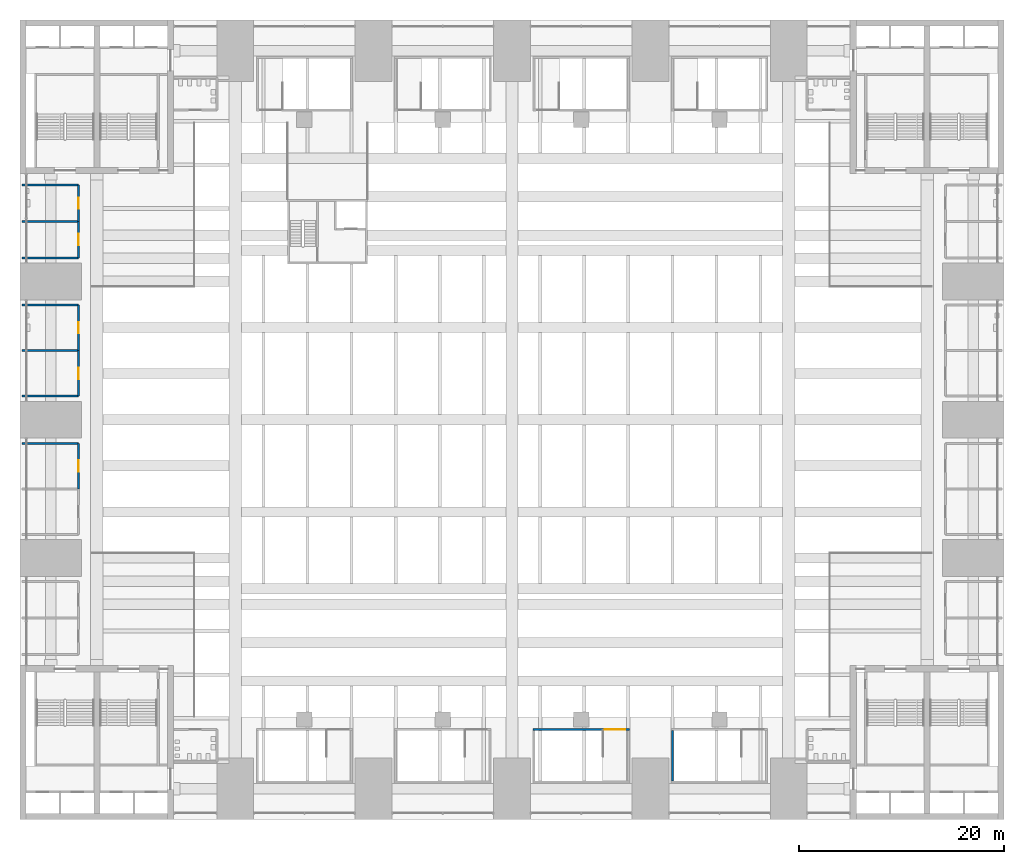
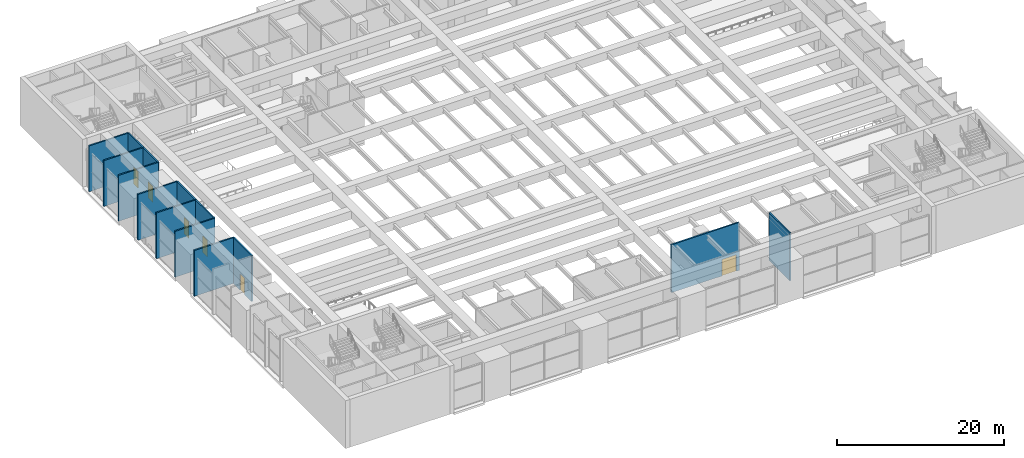
# One storey, part 26 of 45: 14 walls, 6 doors, 6 openings.
"""IFC4 building model written with IfcOpenShell, lengths in metres."""

from ifc_helpers import new_model, si_unit, direction, frame, frame_2d, origin, place, context, subcontext, project, spatial, rectangle, extrude, material, layer, layer_set, type_object, element, fill, save


model = new_model("IFC4")

# Units and contexts
model_context = context("Model", 3, precision=1e-05, world=origin(), true_north=direction((0.0, 1.0)))
body_context = subcontext(model_context, "Body", "Model", "MODEL_VIEW")
ifc_project = project(units=[si_unit("LENGTHUNIT", "METRE"), si_unit("AREAUNIT", "SQUARE_METRE"), si_unit("VOLUMEUNIT", "CUBIC_METRE"), si_unit("PLANEANGLEUNIT", "RADIAN"), si_unit("MASSUNIT", "GRAM", prefix="KILO")], contexts=[model_context])

# Site, building, storey
site_placement = place(None, origin())
site = spatial("IfcSite", under=ifc_project, at=site_placement, CompositionType="ELEMENT")
building_placement = place(site_placement, origin())
building = spatial("IfcBuilding", under=site, at=building_placement, Name="Corbelhall Arena Tower", CompositionType="ELEMENT")
storey_placement = place(building_placement, frame((0.0, 0.0, 37.0)))
storey = spatial("IfcBuildingStorey", under=building, at=storey_placement, Name="L05", CompositionType="ELEMENT", Elevation=37.0)

# Wall, opening, door
ifc_material_1 = material(Name="Gypsum board on steel studs", Category="steel")
ifc_layer_1 = layer(ifc_material_1, 0.199951171875)
ifc_layer_set_1 = layer_set([ifc_layer_1], Name="AR-ROOM-WALL")
wall_type_1 = type_object("IfcWallType", Name="AR-ROOM-WALL", PredefinedType="PARTITIONING", material=ifc_layer_set_1)
wall_1_placement = place(storey_placement, frame((-42.300048828125, 2.300048828125, 0.0), z_axis=(0.0, 0.0, 1.0), x_axis=(0.0, 1.0, 0.0)))
wall_1 = element("IfcWall", 1, at=wall_1_placement, inside=storey, type_object=wall_type_1, Name="Press office 4 wall", PredefinedType="PARTITIONING", context=body_context, shape_type="SweptSolid", body=[
    extrude(rectangle(XDim=4.449951171875, YDim=0.199951171875, at=frame_2d((2.22509765625, 0.0))), origin(), (0.0, 0.0, 1.0), 6.699951171875),
])
opening_1_placement = place(wall_1_placement, frame((1.675048828125, 0.0, 0.0)))
opening_1 = element("IfcOpeningElement", 2, at=opening_1_placement, cuts=wall_1, Name="Opening DA0447", PredefinedType="OPENING", context=body_context, shape_type="SweptSolid", body=[
    extrude(rectangle(XDim=1.10009765625, YDim=2.39990234375, at=frame_2d((0.550048828125, 1.199951171875))), frame((0.0, 0.10009765625, 0.0), z_axis=(0.0, -1.0, 0.0), x_axis=(1.0, 0.0, 0.0)), (0.0, 0.0, 1.0), 0.199951171875),
])
ifc_material_2 = material(Name="Timber", Category="wood")
door_type_1 = type_object("IfcDoorType", Name="AR-ROOM-DOOR", OperationType="DOUBLE_DOOR_SINGLE_SWING", PredefinedType="DOOR", material=ifc_material_2)
door_1_placement = place(opening_1_placement, origin())
door_1 = element("IfcDoor", 3, at=door_1_placement, inside=storey, type_object=door_type_1, Name="Press office 4 door", OperationType="DOUBLE_DOOR_SINGLE_SWING", OverallHeight=2.39990234375, OverallWidth=1.10009765625, PredefinedType="DOOR", context=body_context, shape_type="SweptSolid", body=[
    extrude(rectangle(XDim=1.10009765625, YDim=2.39990234375, at=frame_2d((0.550048828125, 1.199951171875))), frame((0.0, 0.02490234375, 0.0), z_axis=(0.0, -1.0, 0.0), x_axis=(1.0, 0.0, 0.0)), (0.0, 0.0, 1.0), 0.050048828125),
])
fill(opening_1, door_1)

# Walls
for number, where, z_axis, x_axis, name in (
    (4, (-42.300048828125, 2.300048828125, 0.0), (0.0, 0.0, 1.0), (-1.0, 0.0, 0.0), "Press office 4 end wall"),
    (5, (-47.800048828125, 6.75, 0.0), (0.0, 0.0, 1.0), (1.0, 0.0, 0.0), "Press office 4 partition"),
):
    element("IfcWall", number, at=place(storey_placement, frame(where, z_axis=z_axis, x_axis=x_axis)), inside=storey, type_object=wall_type_1, Name=name, PredefinedType="PARTITIONING", context=body_context, shape_type="SweptSolid", body=[
        extrude(rectangle(XDim=5.5, YDim=0.199951171875, at=frame_2d((2.75, 0.0))), origin(), (0.0, 0.0, 1.0), 6.699951171875),
    ])

# Wall, opening, door
wall_2_placement = place(storey_placement, frame((-42.300048828125, 6.75, 0.0), z_axis=(0.0, 0.0, 1.0), x_axis=(0.0, 1.0, 0.0)))
wall_2 = element("IfcWall", 6, at=wall_2_placement, inside=storey, type_object=wall_type_1, Name="Accessible WC 3 wall", PredefinedType="PARTITIONING", context=body_context, shape_type="SweptSolid", body=[
    extrude(rectangle(XDim=4.449951171875, YDim=0.199951171875, at=frame_2d((2.22509765625, 0.0))), origin(), (0.0, 0.0, 1.0), 6.699951171875),
])
opening_2_placement = place(wall_2_placement, frame((1.675048828125, 0.0, 0.0)))
opening_2 = element("IfcOpeningElement", 7, at=opening_2_placement, cuts=wall_2, Name="Opening DA0448", PredefinedType="OPENING", context=body_context, shape_type="SweptSolid", body=[
    extrude(rectangle(XDim=1.10009765625, YDim=2.39990234375, at=frame_2d((0.550048828125, 1.199951171875))), frame((0.0, 0.10009765625, 0.0), z_axis=(0.0, -1.0, 0.0), x_axis=(1.0, 0.0, 0.0)), (0.0, 0.0, 1.0), 0.199951171875),
])
door_2_placement = place(opening_2_placement, origin())
door_2 = element("IfcDoor", 8, at=door_2_placement, inside=storey, type_object=door_type_1, Name="Accessible WC 3 door", OperationType="DOUBLE_DOOR_SINGLE_SWING", OverallHeight=2.39990234375, OverallWidth=1.10009765625, PredefinedType="DOOR", context=body_context, shape_type="SweptSolid", body=[
    extrude(rectangle(XDim=1.10009765625, YDim=2.39990234375, at=frame_2d((0.550048828125, 1.199951171875))), frame((0.0, 0.02490234375, 0.0), z_axis=(0.0, -1.0, 0.0), x_axis=(1.0, 0.0, 0.0)), (0.0, 0.0, 1.0), 0.050048828125),
])
fill(opening_2, door_2)

# Wall
wall_3_placement = place(storey_placement, frame((-42.300048828125, 11.199951171875, 0.0), z_axis=(0.0, 0.0, 1.0), x_axis=(-1.0, 0.0, 0.0)))
element("IfcWall", 9, at=wall_3_placement, inside=storey, type_object=wall_type_1, Name="Accessible WC 3 end wall", PredefinedType="PARTITIONING", context=body_context, shape_type="SweptSolid", body=[
    extrude(rectangle(XDim=5.5, YDim=0.199951171875, at=frame_2d((2.75, 0.0))), origin(), (0.0, 0.0, 1.0), 6.699951171875),
])

# Wall, opening, door
wall_4_placement = place(storey_placement, frame((-42.300048828125, -6.75, 0.0), z_axis=(0.0, 0.0, 1.0), x_axis=(0.0, 1.0, 0.0)))
wall_4 = element("IfcWall", 10, at=wall_4_placement, inside=storey, type_object=wall_type_1, Name="Broadcast office 3 wall", PredefinedType="PARTITIONING", context=body_context, shape_type="SweptSolid", body=[
    extrude(rectangle(XDim=4.449951171875, YDim=0.199951171875, at=frame_2d((2.22509765625, 0.0))), origin(), (0.0, 0.0, 1.0), 6.699951171875),
])
opening_3_placement = place(wall_4_placement, frame((1.675048828125, 0.0, 0.0)))
opening_3 = element("IfcOpeningElement", 11, at=opening_3_placement, cuts=wall_4, Name="Opening DA0450", PredefinedType="OPENING", context=body_context, shape_type="SweptSolid", body=[
    extrude(rectangle(XDim=1.10009765625, YDim=2.39990234375, at=frame_2d((0.550048828125, 1.199951171875))), frame((0.0, 0.10009765625, 0.0), z_axis=(0.0, -1.0, 0.0), x_axis=(1.0, 0.0, 0.0)), (0.0, 0.0, 1.0), 0.199951171875),
])
door_3_placement = place(opening_3_placement, origin())
door_3 = element("IfcDoor", 12, at=door_3_placement, inside=storey, type_object=door_type_1, Name="Broadcast office 3 door", OperationType="DOUBLE_DOOR_SINGLE_SWING", OverallHeight=2.39990234375, OverallWidth=1.10009765625, PredefinedType="DOOR", context=body_context, shape_type="SweptSolid", body=[
    extrude(rectangle(XDim=1.10009765625, YDim=2.39990234375, at=frame_2d((0.550048828125, 1.199951171875))), frame((0.0, 0.02490234375, 0.0), z_axis=(0.0, -1.0, 0.0), x_axis=(1.0, 0.0, 0.0)), (0.0, 0.0, 1.0), 0.050048828125),
])
fill(opening_3, door_3)

# Wall
wall_5_placement = place(storey_placement, frame((-42.300048828125, -2.300048828125, 0.0), z_axis=(0.0, 0.0, 1.0), x_axis=(-1.0, 0.0, 0.0)))
element("IfcWall", 13, at=wall_5_placement, inside=storey, type_object=wall_type_1, Name="Broadcast office 3 end wall", PredefinedType="PARTITIONING", context=body_context, shape_type="SweptSolid", body=[
    extrude(rectangle(XDim=5.5, YDim=0.199951171875, at=frame_2d((2.75, 0.0))), origin(), (0.0, 0.0, 1.0), 6.699951171875),
])

# Wall, opening, door
wall_6_placement = place(storey_placement, frame((-42.300048828125, 15.800048828125, 0.0), z_axis=(0.0, 0.0, 1.0), x_axis=(0.0, 1.0, 0.0)))
wall_6 = element("IfcWall", 14, at=wall_6_placement, inside=storey, type_object=wall_type_1, Name="Press workspace 2 wall", PredefinedType="PARTITIONING", context=body_context, shape_type="SweptSolid", body=[
    extrude(rectangle(XDim=3.550048828125, YDim=0.199951171875, at=frame_2d((1.77490234375, 0.0))), origin(), (0.0, 0.0, 1.0), 6.699951171875),
])
opening_4_placement = place(wall_6_placement, frame((1.22509765625, 0.0, 0.0)))
opening_4 = element("IfcOpeningElement", 15, at=opening_4_placement, cuts=wall_6, Name="Opening DA0451", PredefinedType="OPENING", context=body_context, shape_type="SweptSolid", body=[
    extrude(rectangle(XDim=1.10009765625, YDim=2.39990234375, at=frame_2d((0.550048828125, 1.199951171875))), frame((0.0, 0.10009765625, 0.0), z_axis=(0.0, -1.0, 0.0), x_axis=(1.0, 0.0, 0.0)), (0.0, 0.0, 1.0), 0.199951171875),
])
door_4_placement = place(opening_4_placement, origin())
door_4 = element("IfcDoor", 16, at=door_4_placement, inside=storey, type_object=door_type_1, Name="Press workspace 2 door", OperationType="DOUBLE_DOOR_SINGLE_SWING", OverallHeight=2.39990234375, OverallWidth=1.10009765625, PredefinedType="DOOR", context=body_context, shape_type="SweptSolid", body=[
    extrude(rectangle(XDim=1.10009765625, YDim=2.39990234375, at=frame_2d((0.550048828125, 1.199951171875))), frame((0.0, 0.02490234375, 0.0), z_axis=(0.0, -1.0, 0.0), x_axis=(1.0, 0.0, 0.0)), (0.0, 0.0, 1.0), 0.050048828125),
])
fill(opening_4, door_4)

# Walls
for number, where, z_axis, x_axis, name in (
    (17, (-42.300048828125, 15.800048828125, 0.0), (0.0, 0.0, 1.0), (-1.0, 0.0, 0.0), "Press workspace 2 end wall"),
    (18, (-47.800048828125, 19.35009765625, 0.0), (0.0, 0.0, 1.0), (1.0, 0.0, 0.0), "Press workspace 2 partition"),
):
    element("IfcWall", number, at=place(storey_placement, frame(where, z_axis=z_axis, x_axis=x_axis)), inside=storey, type_object=wall_type_1, Name=name, PredefinedType="PARTITIONING", context=body_context, shape_type="SweptSolid", body=[
        extrude(rectangle(XDim=5.5, YDim=0.199951171875, at=frame_2d((2.75, 0.0))), origin(), (0.0, 0.0, 1.0), 6.699951171875),
    ])

# Wall, opening, door
wall_7_placement = place(storey_placement, frame((-42.300048828125, 19.35009765625, 0.0), z_axis=(0.0, 0.0, 1.0), x_axis=(0.0, 1.0, 0.0)))
wall_7 = element("IfcWall", 19, at=wall_7_placement, inside=storey, type_object=wall_type_1, Name="Accessible WC 4 wall", PredefinedType="PARTITIONING", context=body_context, shape_type="SweptSolid", body=[
    extrude(rectangle(XDim=3.5498046875, YDim=0.199951171875, at=frame_2d((1.77490234375, 0.0))), origin(), (0.0, 0.0, 1.0), 6.699951171875),
])
opening_5_placement = place(wall_7_placement, frame((1.22509765625, 0.0, 0.0)))
opening_5 = element("IfcOpeningElement", 20, at=opening_5_placement, cuts=wall_7, Name="Opening DA0452", PredefinedType="OPENING", context=body_context, shape_type="SweptSolid", body=[
    extrude(rectangle(XDim=1.10009765625, YDim=2.39990234375, at=frame_2d((0.550048828125, 1.199951171875))), frame((0.0, 0.10009765625, 0.0), z_axis=(0.0, -1.0, 0.0), x_axis=(1.0, 0.0, 0.0)), (0.0, 0.0, 1.0), 0.199951171875),
])
door_5_placement = place(opening_5_placement, origin())
door_5 = element("IfcDoor", 21, at=door_5_placement, inside=storey, type_object=door_type_1, Name="Accessible WC 4 door", OperationType="DOUBLE_DOOR_SINGLE_SWING", OverallHeight=2.39990234375, OverallWidth=1.10009765625, PredefinedType="DOOR", context=body_context, shape_type="SweptSolid", body=[
    extrude(rectangle(XDim=1.10009765625, YDim=2.39990234375, at=frame_2d((0.550048828125, 1.199951171875))), frame((0.0, 0.02490234375, 0.0), z_axis=(0.0, -1.0, 0.0), x_axis=(1.0, 0.0, 0.0)), (0.0, 0.0, 1.0), 0.050048828125),
])
fill(opening_5, door_5)

# Wall
wall_8_placement = place(storey_placement, frame((-42.300048828125, 22.89990234375, 0.0), z_axis=(0.0, 0.0, 1.0), x_axis=(-1.0, 0.0, 0.0)))
element("IfcWall", 22, at=wall_8_placement, inside=storey, type_object=wall_type_1, Name="Accessible WC 4 end wall", PredefinedType="PARTITIONING", context=body_context, shape_type="SweptSolid", body=[
    extrude(rectangle(XDim=5.5, YDim=0.199951171875, at=frame_2d((2.75, 0.0))), origin(), (0.0, 0.0, 1.0), 6.699951171875),
])

# Wall, opening, door
ifc_material_3 = material(Name="Reinforced concrete C40/50", Category="concrete")
ifc_layer_2 = layer(ifc_material_3, 0.199951171875)
ifc_layer_set_2 = layer_set([ifc_layer_2], Name="AR-STAIR-WALL")
wall_type_2 = type_object("IfcWallType", Name="AR-STAIR-WALL", PredefinedType="SOLIDWALL", material=ifc_layer_set_2)
wall_9_placement = place(storey_placement, frame((11.449951171875, -30.199951171875, 0.0), z_axis=(0.0, 0.0, 1.0), x_axis=(-1.0, 0.0, 0.0)))
wall_9 = element("IfcWall", 23, at=wall_9_placement, inside=storey, type_object=wall_type_2, Name="Stair AS15 wall", PredefinedType="SOLIDWALL", context=body_context, shape_type="SweptSolid", body=[
    extrude(rectangle(XDim=9.39990234375, YDim=0.199951171875, at=frame_2d((4.699951171875, 0.0))), origin(), (0.0, 0.0, 1.0), 7.0),
])
opening_6_placement = place(wall_9_placement, frame((0.39990234375, 0.0, 0.0)))
opening_6 = element("IfcOpeningElement", 24, at=opening_6_placement, cuts=wall_9, Name="Opening DA0042", PredefinedType="OPENING", context=body_context, shape_type="SweptSolid", body=[
    extrude(rectangle(XDim=2.0, YDim=2.39990234375, at=frame_2d((1.0, 1.199951171875))), frame((0.0, 0.10009765625, 0.0), z_axis=(0.0, -1.0, 0.0), x_axis=(1.0, 0.0, 0.0)), (0.0, 0.0, 1.0), 0.199951171875),
])
ifc_material_4 = material(Name="Steel and glass", Category="steel")
door_type_2 = type_object("IfcDoorType", Name="AR-STAIR-DOOR", OperationType="DOUBLE_DOOR_SINGLE_SWING", PredefinedType="DOOR", material=ifc_material_4)
door_6_placement = place(opening_6_placement, origin())
door_6 = element("IfcDoor", 25, at=door_6_placement, inside=storey, type_object=door_type_2, Name="Stair AS15 door", OperationType="DOUBLE_DOOR_SINGLE_SWING", OverallHeight=2.39990234375, OverallWidth=2.0, PredefinedType="DOOR", context=body_context, shape_type="SweptSolid", body=[
    extrude(rectangle(XDim=2.0, YDim=2.39990234375, at=frame_2d((1.0, 1.199951171875))), frame((0.0, 0.02490234375, 0.0), z_axis=(0.0, -1.0, 0.0), x_axis=(1.0, 0.0, 0.0)), (0.0, 0.0, 1.0), 0.050048828125),
])
fill(opening_6, door_6)

# Wall
wall_10_placement = place(storey_placement, frame((15.64990234375, -35.25, 0.0), z_axis=(0.0, 0.0, 1.0), x_axis=(0.0, 1.0, 0.0)))
element("IfcWall", 26, at=wall_10_placement, inside=storey, type_object=wall_type_2, Name="Stair AS16 wall", PredefinedType="SOLIDWALL", context=body_context, shape_type="SweptSolid", body=[
    extrude(rectangle(XDim=4.949951171875, YDim=0.199951171875, at=frame_2d((2.47509765625, 0.0))), origin(), (0.0, 0.0, 1.0), 7.0),
])

save(model, "model.ifc")
